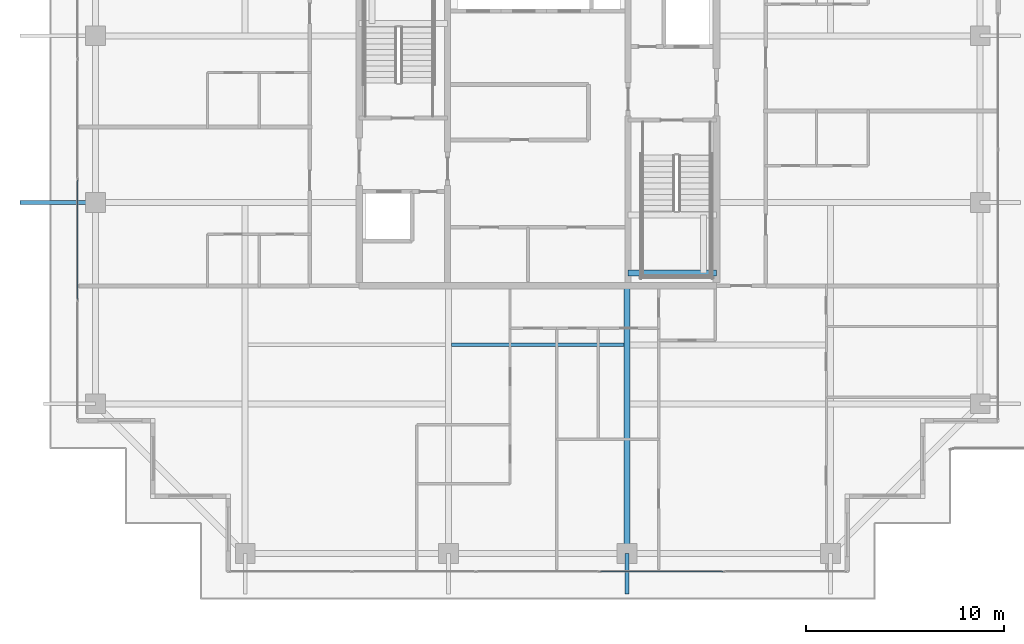
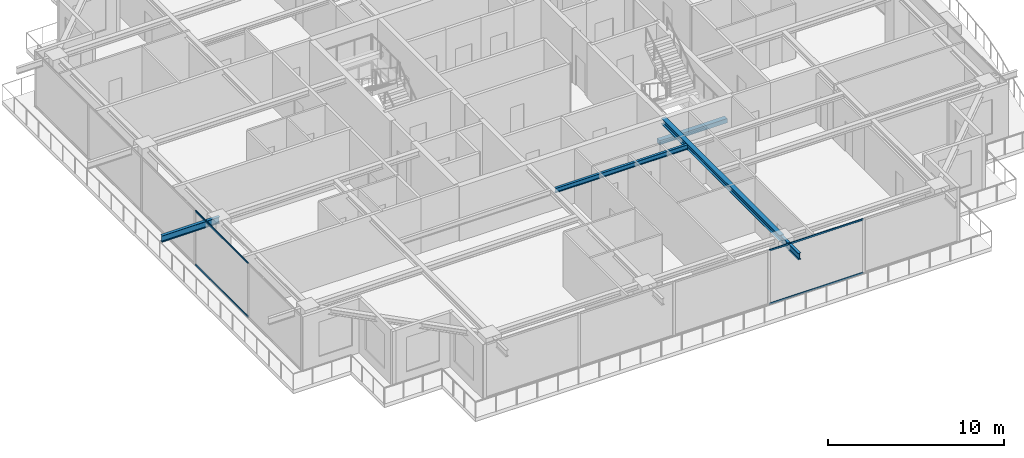
# One storey, part 7 of 39: 5 beams, 4 members, 2 elements without a shape of their own.
"""IFC4 building model written with IfcOpenShell, lengths in metres."""

import ifcopenshell
import ifcopenshell.guid

model = None  # the IFC model being written
_history = None  # IfcOwnerHistory: only IFC2X3 demands one
_inside = {}  # id of a spatial element -> (the spatial element, [elements in it])
_under = {}  # id of a project, library or spatial element -> (it, [spatial elements below it])
_declared = {}  # id of a project -> (the project, [libraries it declares])
_typed = {}  # id of a type object -> (the type object, [elements of that type])
_made_of = {}  # id of a material, layer set ... -> (it, [elements and type objects made of it])


def new_model(schema):
    """Start an empty IFC model of exactly this schema.

    Asked for "IFC4X3", IfcOpenShell would pick the latest addendum, in which some entities
    have other attributes; the version numbers below select the first issue.
    IFC2X3 requires an IfcOwnerHistory on every rooted entity: one is made here for all.
    """
    global model, _history
    if schema == "IFC4X3":
        model = ifcopenshell.file(schema_version=(4, 3, 0, 0))
    else:
        model = ifcopenshell.file(schema=schema)
    _inside.clear()
    _under.clear()
    _declared.clear()
    _typed.clear()
    _made_of.clear()
    _history = None
    if model.schema == "IFC2X3":
        org = make("IfcOrganization", Name="unknown")
        user = make(
            "IfcPersonAndOrganization",
            ThePerson=make("IfcPerson", FamilyName="unknown"),
            TheOrganization=org,
        )
        app = make(
            "IfcApplication",
            ApplicationDeveloper=org,
            Version="unknown",
            ApplicationFullName="unknown",
            ApplicationIdentifier="unknown",
        )
        _history = make(
            "IfcOwnerHistory",
            OwningUser=user,
            OwningApplication=app,
            ChangeAction="ADDED",
            CreationDate=0,
        )
    return model


def make(cls, **values):
    """One entity of the class cls with the attributes given. An attribute that is None is left unset."""
    return model.create_entity(
        cls, **{name: value for name, value in values.items() if value is not None}
    )


def rooted(cls, **values):
    """An entity with a GlobalId (a new one), such as an element, a storey or a relation."""
    return make(cls, GlobalId=ifcopenshell.guid.new(), OwnerHistory=_history, **values)


def si_unit(unit_type, name, prefix=None):
    """IfcSIUnit, for example si_unit("LENGTHUNIT", "METRE", prefix="MILLI")."""
    return make("IfcSIUnit", UnitType=unit_type, Prefix=prefix, Name=name)


def assignment(units):
    """IfcUnitAssignment: the units of a project."""
    return None if units is None else make("IfcUnitAssignment", Units=units)


def point(xyz):
    """IfcCartesianPoint."""
    return None if xyz is None else make("IfcCartesianPoint", Coordinates=xyz)


def direction(xyz):
    """IfcDirection."""
    return None if xyz is None else make("IfcDirection", DirectionRatios=xyz)


def frame(location, z_axis=None, x_axis=None):
    """IfcAxis2Placement3D, a coordinate frame: its origin and axes. An axis left out is left unset."""
    return make(
        "IfcAxis2Placement3D",
        Location=point(location),
        Axis=direction(z_axis),
        RefDirection=direction(x_axis),
    )


def frame_2d(location, x_axis=None):
    """IfcAxis2Placement2D, a coordinate frame in the plane: its origin and x axis."""
    return make(
        "IfcAxis2Placement2D", Location=point(location), RefDirection=direction(x_axis)
    )


def origin():
    """The frame at (0, 0, 0) with its axes left unset."""
    return frame((0.0, 0.0, 0.0))


def origin_2d():
    """The frame at (0, 0) in the plane with its x axis left unset."""
    return frame_2d((0.0, 0.0))


def place(relative_to, where):
    """IfcLocalPlacement: puts the frame where relative to a parent placement (None: the world)."""
    return make(
        "IfcLocalPlacement", PlacementRelTo=relative_to, RelativePlacement=where
    )


def context(
    kind, dimensions, precision=None, world=None, true_north=None, identifier=None
):
    """IfcGeometricRepresentationContext, for example the 3D "Model" context."""
    return make(
        "IfcGeometricRepresentationContext",
        ContextIdentifier=identifier,
        ContextType=kind,
        CoordinateSpaceDimension=dimensions,
        Precision=precision,
        WorldCoordinateSystem=world,
        TrueNorth=true_north,
    )


def subcontext(parent, identifier, kind, view, scale=None):
    """IfcGeometricRepresentationSubContext, for example "Body" below "Model"."""
    return make(
        "IfcGeometricRepresentationSubContext",
        ContextIdentifier=identifier,
        ContextType=kind,
        ParentContext=parent,
        TargetScale=scale,
        TargetView=view,
    )


def project(units=None, contexts=None):
    """IfcProject with its units and contexts."""
    return rooted(
        "IfcProject",
        Name="project",
        RepresentationContexts=contexts,
        UnitsInContext=assignment(units),
    )


def spatial(cls, under=None, at=None, **own):
    """A site, building, storey or space (cls), placed at a placement, below another one or the project."""
    s = rooted(cls, ObjectPlacement=at, **own)
    if under is not None:
        _under.setdefault(under.id(), (under, []))[1].append(s)
    return s


def profile(cls, at=None, kind="AREA", **sizes):
    """A parametric profile (cls). Its sizes go by their IFC names, for example OverallWidth=200.0."""
    return make(cls, ProfileType=kind, Position=at, **sizes)


def rectangle(**sizes):
    """IfcRectangleProfileDef."""
    return profile("IfcRectangleProfileDef", **sizes)


def hollow_rectangle(**sizes):
    """IfcRectangleHollowProfileDef."""
    return profile("IfcRectangleHollowProfileDef", **sizes)


def i_section(**sizes):
    """IfcIShapeProfileDef."""
    return profile("IfcIShapeProfileDef", **sizes)


def extrude(swept, where, along, depth):
    """IfcExtrudedAreaSolid: the profile swept, set in the frame where, extruded along a direction by depth."""
    return make(
        "IfcExtrudedAreaSolid",
        SweptArea=swept,
        Position=where,
        ExtrudedDirection=direction(along),
        Depth=depth,
    )


def shape(context_of_items, identifier, shape_type, items):
    """IfcShapeRepresentation: the items that make up one representation, for example the "Body"."""
    return make(
        "IfcShapeRepresentation",
        ContextOfItems=context_of_items,
        RepresentationIdentifier=identifier,
        RepresentationType=shape_type,
        Items=items,
    )


def source(mapping_origin, context_of_items, identifier, shape_type, items):
    """IfcRepresentationMap: a shape defined once, which mapped items show again and again."""
    return make(
        "IfcRepresentationMap",
        MappingOrigin=mapping_origin,
        MappedRepresentation=shape(context_of_items, identifier, shape_type, items),
    )


def transform(
    local_origin,
    x_axis=None,
    y_axis=None,
    z_axis=None,
    scale=None,
    scale2=None,
    scale3=None,
    uniform=True,
):
    """IfcCartesianTransformationOperator3D, or its non-uniform kind. x_axis, y_axis, z_axis: its Axis1, 2, 3."""
    if uniform:
        return make(
            "IfcCartesianTransformationOperator3D",
            Axis1=direction(x_axis),
            Axis2=direction(y_axis),
            LocalOrigin=point(local_origin),
            Scale=scale,
            Axis3=direction(z_axis),
        )
    return make(
        "IfcCartesianTransformationOperator3DnonUniform",
        Axis1=direction(x_axis),
        Axis2=direction(y_axis),
        LocalOrigin=point(local_origin),
        Scale=scale,
        Axis3=direction(z_axis),
        Scale2=scale2,
        Scale3=scale3,
    )


def mapped(mapping_source, mapping_target):
    """IfcMappedItem: shows the shape of a source again, moved by a transform."""
    return make(
        "IfcMappedItem", MappingSource=mapping_source, MappingTarget=mapping_target
    )


def material(Name=None, Category=None):
    """IfcMaterial."""
    return make("IfcMaterial", Name=Name, Category=Category)


def layer(
    of_material, thickness, ventilated=None, Name=None, Category=None, Priority=None
):
    """IfcMaterialLayer: one layer of a wall or slab, of a material (None: an air gap)."""
    return make(
        "IfcMaterialLayer",
        Material=of_material,
        LayerThickness=thickness,
        IsVentilated=ventilated,
        Name=Name,
        Category=Category,
        Priority=Priority,
    )


def layer_set(layers, Name=None):
    """IfcMaterialLayerSet."""
    return make("IfcMaterialLayerSet", MaterialLayers=layers, LayerSetName=Name)


def material_profile(
    of_material, cross_section, Name=None, Category=None, Priority=None
):
    """IfcMaterialProfile: a cross section and its material."""
    return make(
        "IfcMaterialProfile",
        Name=Name,
        Material=of_material,
        Profile=cross_section,
        Priority=Priority,
        Category=Category,
    )


def profile_set(profiles, Name=None, composite=None):
    """IfcMaterialProfileSet."""
    return make(
        "IfcMaterialProfileSet",
        Name=Name,
        MaterialProfiles=profiles,
        CompositeProfile=composite,
    )


def made_of(thing, what):
    """Note that an element or type object is made of a material, layer set ...; save() writes the relation."""
    if what is not None:
        _made_of.setdefault(what.id(), (what, []))[1].append(thing)
    return thing


def type_object(cls, material=None, **own):
    """A type object (cls), such as IfcWallType, which elements share."""
    return made_of(rooted(cls, **own), material)


def element(
    cls,
    number,
    at=None,
    inside=None,
    cuts=None,
    type_object=None,
    material=None,
    context=None,
    identifier="Body",
    shape_type=None,
    held_by="IfcProductDefinitionShape",
    body=None,
    shapes=None,
    **own,
):
    """One element of the class cls, such as IfcWall. Its Tag is "e" and its number.

    at: its placement. inside: the storey or other place that contains it. cuts: it is an
    opening in that element (IfcRelVoidsElement). A single representation is given by context,
    identifier, shape_type and body (its items); several are given by shapes. held_by: the class
    of the entity that holds the representations. save() writes the other relations.
    """
    e = rooted(cls, Tag="e%d" % number, ObjectPlacement=at, **own)
    if body is not None:
        shapes = [shape(context, identifier, shape_type, body)]
    if shapes is not None:
        e.Representation = make(held_by, Representations=shapes)
    if inside is not None:
        _inside.setdefault(inside.id(), (inside, []))[1].append(e)
    if cuts is not None:
        rooted(
            "IfcRelVoidsElement", RelatingBuildingElement=cuts, RelatedOpeningElement=e
        )
    if type_object is not None:
        _typed.setdefault(type_object.id(), (type_object, []))[1].append(e)
    return made_of(e, material)


def aggregate(whole, parts):
    """IfcRelAggregates: a whole, such as a stair, and the parts it consists of."""
    return rooted("IfcRelAggregates", RelatingObject=whole, RelatedObjects=parts)


def save(model, path):
    """Write the relations noted so far, then the file.

    IfcRelAggregates (storeys below a building ...), IfcRelContainedInSpatialStructure (elements
    in a storey), IfcRelDefinesByType, IfcRelAssociatesMaterial and IfcRelDeclares: one each for
    every whole, place, type object, material and project.
    """
    for whole, parts in _under.values():
        aggregate(whole, parts)
    for where, things in _inside.values():
        rooted(
            "IfcRelContainedInSpatialStructure",
            RelatedElements=things,
            RelatingStructure=where,
        )
    for kind, things in _typed.values():
        rooted("IfcRelDefinesByType", RelatedObjects=things, RelatingType=kind)
    for what, things in _made_of.values():
        rooted("IfcRelAssociatesMaterial", RelatedObjects=things, RelatingMaterial=what)
    for by, libraries in _declared.values():
        rooted("IfcRelDeclares", RelatingContext=by, RelatedDefinitions=libraries)
    model.write(path)


model = new_model("IFC4")

# Units and contexts
model_context = context("Model", 3, precision=1e-05, world=origin(), true_north=direction((0.0, 1.0)))
body_context = subcontext(model_context, "Body", "Model", "MODEL_VIEW")
ifc_project = project(units=[si_unit("LENGTHUNIT", "METRE"), si_unit("AREAUNIT", "SQUARE_METRE"), si_unit("VOLUMEUNIT", "CUBIC_METRE"), si_unit("PLANEANGLEUNIT", "RADIAN"), si_unit("MASSUNIT", "GRAM", prefix="KILO")], contexts=[model_context])

# Site, building, storey
site_placement = place(None, origin())
site = spatial("IfcSite", under=ifc_project, at=site_placement, CompositionType="ELEMENT")
building_placement = place(site_placement, origin())
building = spatial("IfcBuilding", under=site, at=building_placement, Name="Serunith Strait Residences", CompositionType="ELEMENT")
storey_placement = place(building_placement, frame((0.0, 0.0, 329.89990234375)))
storey = spatial("IfcBuildingStorey", under=building, at=storey_placement, Name="L82", CompositionType="ELEMENT", Elevation=329.89990234375)

# Beams
ifc_material_1 = material(Name="Steel S355J2", Category="steel")
ifc_material_profile_1 = material_profile(ifc_material_1, i_section(OverallWidth=0.159912109375, OverallDepth=0.330078125, WebThickness=0.007568359375, FlangeThickness=0.011474609375, FilletRadius=0.01806640625, at=origin_2d()), Name="IPE 330")
ifc_profile_set_1 = profile_set([ifc_material_profile_1], Name="Steel S355J2")
beam_type_1 = type_object("IfcBeamType", Name="BM-IPE330", PredefinedType="JOIST", material=ifc_profile_set_1)
shared_shape_1 = source(origin(), body_context, "Body", "SweptSolid", [
    extrude(i_section(OverallWidth=0.159912109375, OverallDepth=0.330078125, WebThickness=0.007568359375, FlangeThickness=0.011474609375, FilletRadius=0.01806640625, at=origin_2d()), origin(), (0.0, 0.0, 1.0), 8.699951171875),
])
beam_1_placement = place(storey_placement, frame((28.050048828125, 13.824951171875, 3.6220703125), z_axis=(1.0, 0.0, 0.0), x_axis=(0.0, 1.0, 0.0)))
element("IfcBeam", 1, at=beam_1_placement, inside=storey, type_object=beam_type_1, Name="L82 Composite Floor Joist 02", PredefinedType="JOIST", context=body_context, shape_type="MappedRepresentation", body=[
    mapped(shared_shape_1, transform((0.0, 0.0, 0.0), scale=1.0)),
])
ifc_material_profile_2 = material_profile(ifc_material_1, i_section(OverallWidth=0.300048828125, OverallDepth=0.39990234375, WebThickness=0.013427734375, FlangeThickness=0.02392578125, FilletRadius=0.027099609375, at=origin_2d()), Name="HEB 400")
ifc_profile_set_2 = profile_set([ifc_material_profile_2], Name="Steel S355J2")
beam_type_2 = type_object("IfcBeamType", Name="BM-HEB400", PredefinedType="BEAM", material=ifc_profile_set_2)
shared_shape_2 = source(origin(), body_context, "Body", "SweptSolid", [
    extrude(i_section(OverallWidth=0.300048828125, OverallDepth=0.39990234375, WebThickness=0.013427734375, FlangeThickness=0.02392578125, FilletRadius=0.027099609375, at=origin_2d()), origin(), (0.0, 0.0, 1.0), 13.5),
])
beam_2_placement = place(storey_placement, frame((36.89990234375, 16.800048828125, 3.587158203125), z_axis=(0.0, -1.0, 0.0), x_axis=(1.0, 0.0, 0.0)))
element("IfcBeam", 2, at=beam_2_placement, inside=storey, type_object=beam_type_2, Name="L82 Primary Floor Girder TC-S3", PredefinedType="BEAM", context=body_context, shape_type="MappedRepresentation", body=[
    mapped(shared_shape_2, transform((0.0, 0.0, 0.0), scale=1.0)),
])
ifc_material_profile_3 = material_profile(ifc_material_1, i_section(OverallWidth=0.18994140625, OverallDepth=0.449951171875, WebThickness=0.009521484375, FlangeThickness=0.0146484375, FilletRadius=0.02099609375, at=origin_2d()), Name="IPE 450")
ifc_profile_set_3 = profile_set([ifc_material_profile_3], Name="Steel S355J2")
beam_type_3 = type_object("IfcBeamType", Name="BM-IPE450", PredefinedType="JOIST", material=ifc_profile_set_3)
shared_shape_3 = source(origin(), body_context, "Body", "SweptSolid", [
    extrude(i_section(OverallWidth=0.18994140625, OverallDepth=0.449951171875, WebThickness=0.009521484375, FlangeThickness=0.0146484375, FilletRadius=0.02099609375, at=origin_2d()), origin(), (0.0, 0.0, 1.0), 3.800048828125),
])
beam_3_placement = place(storey_placement, frame((10.10009765625, 21.0, 3.531982421875), z_axis=(-1.0, 0.0, 0.0), x_axis=(0.0, -1.0, 0.0)))
element("IfcBeam", 3, at=beam_3_placement, inside=storey, type_object=beam_type_3, Name="L83 Cantilevered Balcony Rib TC-W2", PredefinedType="JOIST", context=body_context, shape_type="MappedRepresentation", body=[
    mapped(shared_shape_3, transform((0.0, 0.0, 0.0), scale=1.0)),
])
shared_shape_4 = source(origin(), body_context, "Body", "SweptSolid", [
    extrude(i_section(OverallWidth=0.18994140625, OverallDepth=0.449951171875, WebThickness=0.009521484375, FlangeThickness=0.0146484375, FilletRadius=0.02099609375, at=origin_2d()), origin(), (0.0, 0.0, 1.0), 2.030029296875),
])
beam_4_placement = place(storey_placement, frame((36.89990234375, 3.300048828125, 3.531982421875), z_axis=(0.0, -1.0, 0.0), x_axis=(1.0, 0.0, 0.0)))
element("IfcBeam", 4, at=beam_4_placement, inside=storey, type_object=beam_type_3, Name="L83 Cantilevered Balcony Rib TC-S3", PredefinedType="JOIST", context=body_context, shape_type="MappedRepresentation", body=[
    mapped(shared_shape_4, transform((0.0, 0.0, 0.0), scale=1.0)),
])
ifc_material_2 = material(Name="Concrete C60/75", Category="concrete")
ifc_material_profile_4 = material_profile(ifc_material_2, rectangle(XDim=0.300048828125, YDim=0.300048828125, at=origin_2d()), Name="RC 300x300")
ifc_profile_set_4 = profile_set([ifc_material_profile_4], Name="Concrete C60/75")
beam_type_4 = type_object("IfcBeamType", Name="BM-LAND-300x300", PredefinedType="BEAM", material=ifc_profile_set_4)
shared_shape_5 = source(origin(), body_context, "Body", "SweptSolid", [
    extrude(rectangle(XDim=0.300048828125, YDim=0.300048828125, at=origin_2d()), origin(), (0.0, 0.0, 1.0), 4.449951171875),
])
beam_5_placement = place(storey_placement, frame((36.949951171875, 17.449951171875, 1.675048828125), z_axis=(1.0, 0.0, 0.0), x_axis=(0.0, 1.0, 0.0)))
element("IfcBeam", 5, at=beam_5_placement, inside=storey, type_object=beam_type_4, Name="L82 ST-2 Landing Support Beam 1", PredefinedType="BEAM", context=body_context, shape_type="MappedRepresentation", body=[
    mapped(shared_shape_5, transform((0.0, 0.0, 0.0), scale=1.0)),
])

# Curtain wall, members
ifc_material_3 = material(Name="Brushed Stainless-Silver Aluminium", Category="aluminium")
ifc_layer = layer(ifc_material_3, 0.199951171875, Name="Brushed Stainless-Silver Aluminium")
ifc_layer_set = layer_set([ifc_layer], Name="Brushed Stainless-Silver Aluminium")
curtain_wall_type = type_object("IfcCurtainWallType", Name="CW-SYS5", PredefinedType="NOTDEFINED", material=ifc_layer_set)
curtain_wall_1_placement = place(storey_placement, origin())
curtain_wall_1 = element("IfcCurtainWall", 6, at=curtain_wall_1_placement, inside=storey, type_object=curtain_wall_type, Name="L82 S Unitised Fritted Curtain Wall", PredefinedType="NOTDEFINED")
ifc_material_profile_5 = material_profile(ifc_material_3, hollow_rectangle(XDim=0.06005859375, YDim=0.1201171875, WallThickness=0.00341796875, InnerFilletRadius=0.00537109375, OuterFilletRadius=0.0087890625, at=origin_2d()), Name="ALU 120x60x3.5")
ifc_profile_set_5 = profile_set([ifc_material_profile_5], Name="Brushed Stainless-Silver Aluminium")
member_type = type_object("IfcMemberType", Name="CW-SYS5-TRAN", PredefinedType="USERDEFINED", material=ifc_profile_set_5)
shared_shape_6 = source(origin(), body_context, "Body", "SweptSolid", [
    extrude(hollow_rectangle(XDim=0.06005859375, YDim=0.1201171875, WallThickness=0.00341796875, InnerFilletRadius=0.00537109375, OuterFilletRadius=0.0087890625, at=origin_2d()), origin(), (0.0, 0.0, 1.0), 6.175048828125),
])
member_1_placement = place(storey_placement, frame((35.552490234375, 2.39990234375, 0.030029296875), z_axis=(1.0, 0.0, 0.0), x_axis=(0.0, 1.0, 0.0)))
member_1 = element("IfcMember", 7, at=member_1_placement, type_object=member_type, Name="CW-5 transom 4.1", ObjectType="TRANSOM", PredefinedType="USERDEFINED", context=body_context, shape_type="MappedRepresentation", body=[
    mapped(shared_shape_6, transform((0.0, 0.0, 0.0), scale=1.0)),
])
member_2_placement = place(storey_placement, frame((35.552490234375, 2.39990234375, 3.7451171875), z_axis=(1.0, 0.0, 0.0), x_axis=(0.0, 1.0, 0.0)))
member_2 = element("IfcMember", 8, at=member_2_placement, type_object=member_type, Name="CW-5 transom 4.2", ObjectType="TRANSOM", PredefinedType="USERDEFINED", context=body_context, shape_type="MappedRepresentation", body=[
    mapped(shared_shape_6, transform((0.0, 0.0, 0.0), scale=1.0)),
])
aggregate(curtain_wall_1, [member_1, member_2])

curtain_wall_2_placement = place(storey_placement, origin())
curtain_wall_2 = element("IfcCurtainWall", 9, at=curtain_wall_2_placement, inside=storey, type_object=curtain_wall_type, Name="L82 W Unitised Fritted Curtain Wall", PredefinedType="NOTDEFINED")
shared_shape_7 = source(origin(), body_context, "Body", "SweptSolid", [
    extrude(hollow_rectangle(XDim=0.06005859375, YDim=0.1201171875, WallThickness=0.00341796875, InnerFilletRadius=0.00537109375, OuterFilletRadius=0.0087890625, at=origin_2d()), origin(), (0.0, 0.0, 1.0), 6.014892578125),
])
member_3_placement = place(storey_placement, frame((9.199951171875, 22.12744140625, 0.030029296875), z_axis=(0.0, -1.0, 0.0), x_axis=(1.0, 0.0, 0.0)))
member_3 = element("IfcMember", 10, at=member_3_placement, type_object=member_type, Name="CW-5 transom 4.1", ObjectType="TRANSOM", PredefinedType="USERDEFINED", context=body_context, shape_type="MappedRepresentation", body=[
    mapped(shared_shape_7, transform((0.0, 0.0, 0.0), scale=1.0)),
])
member_4_placement = place(storey_placement, frame((9.199951171875, 22.12744140625, 3.7451171875), z_axis=(0.0, -1.0, 0.0), x_axis=(1.0, 0.0, 0.0)))
member_4 = element("IfcMember", 11, at=member_4_placement, type_object=member_type, Name="CW-5 transom 4.2", ObjectType="TRANSOM", PredefinedType="USERDEFINED", context=body_context, shape_type="MappedRepresentation", body=[
    mapped(shared_shape_7, transform((0.0, 0.0, 0.0), scale=1.0)),
])
aggregate(curtain_wall_2, [member_3, member_4])

save(model, "model.ifc")
